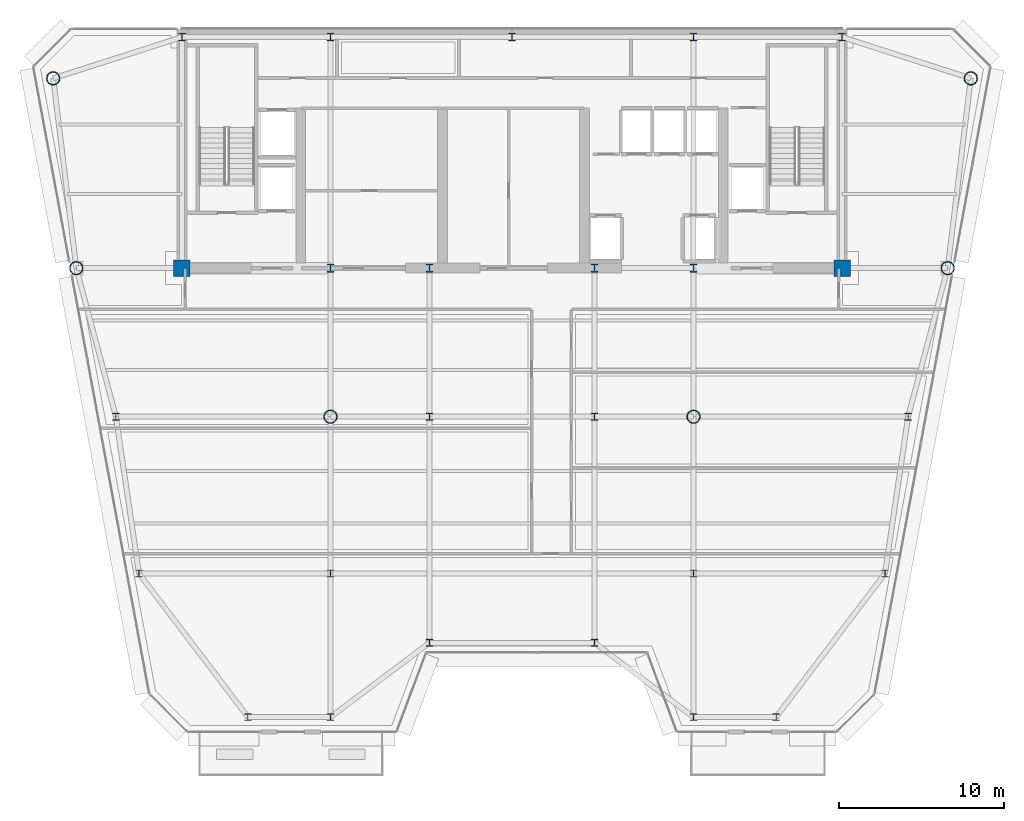
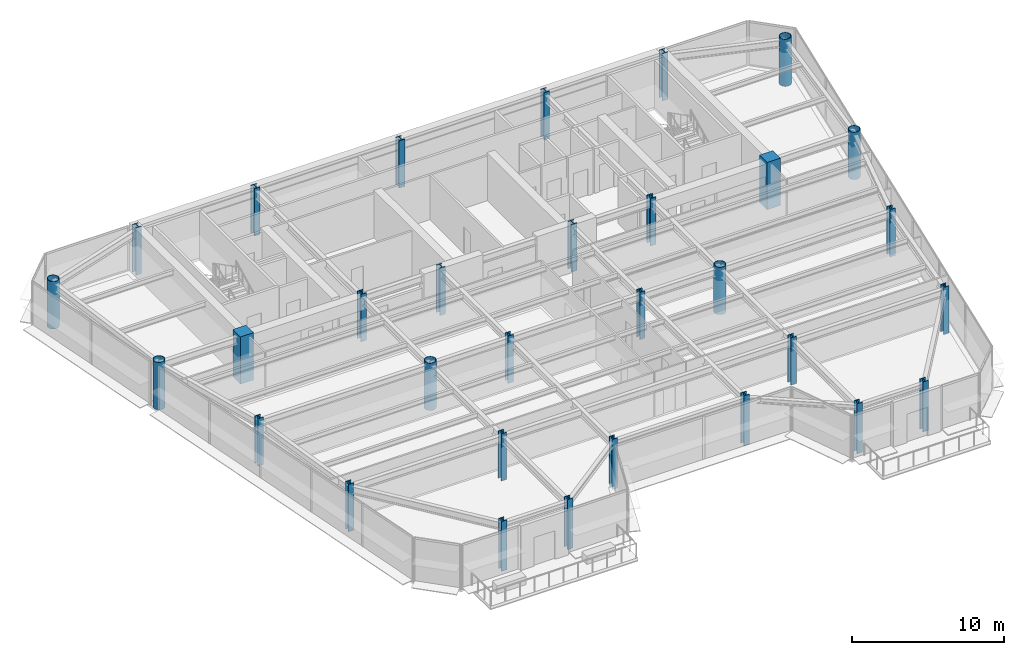
# One storey, part 1 of 16: 31 columns.
"""IFC4 building model written with IfcOpenShell, lengths in metres."""

from ifc_helpers import new_model, si_unit, direction, frame, origin, origin_2d, place, context, subcontext, project, spatial, rectangle, hollow_circle, i_section, extrude, source, transform, mapped, material, material_profile, profile_set, type_object, element, save


model = new_model("IFC4")

# Units and contexts
model_context = context("Model", 3, precision=1e-05, world=origin(), true_north=direction((0.0, 1.0)))
body_context = subcontext(model_context, "Body", "Model", "MODEL_VIEW")
ifc_project = project(units=[si_unit("LENGTHUNIT", "METRE"), si_unit("AREAUNIT", "SQUARE_METRE"), si_unit("VOLUMEUNIT", "CUBIC_METRE"), si_unit("PLANEANGLEUNIT", "RADIAN"), si_unit("MASSUNIT", "GRAM", prefix="KILO")], contexts=[model_context])

# Site, building, storey
site_placement = place(None, origin())
site = spatial("IfcSite", under=ifc_project, at=site_placement, CompositionType="ELEMENT")
building_placement = place(site_placement, origin())
building = spatial("IfcBuilding", under=site, at=building_placement, Name="Vaeldorn Concourse Tower", CompositionType="ELEMENT")
storey_placement = place(building_placement, frame((0.0, 0.0, 207.0)))
storey = spatial("IfcBuildingStorey", under=building, at=storey_placement, Name="L53", CompositionType="ELEMENT", Elevation=207.0)

# Columns
ifc_material_1 = material(Name="Concrete C50/60", Category="concrete")
ifc_material_profile_1 = material_profile(ifc_material_1, rectangle(XDim=1.0, YDim=1.0, at=origin_2d()), Name="RC 1000x1000")
ifc_profile_set_1 = profile_set([ifc_material_profile_1], Name="Concrete C50/60")
column_type_1 = type_object("IfcColumnType", Name="COL-RC1000", PredefinedType="COLUMN", material=ifc_profile_set_1)
shared_shape_1 = source(origin(), body_context, "Body", "SweptSolid", [
    extrude(rectangle(XDim=1.0, YDim=1.0, at=origin_2d()), origin(), (0.0, 0.0, 1.0), 3.800048828125),
])
for number, where, z_axis, x_axis, name in (
    (1, (14.0, 36.5, 0.0), (0.0, 0.0, 1.0), (1.0, 0.0, 0.0), "Column C-FC1 L53"),
    (2, (54.0, 36.5, 0.0), (0.0, 0.0, 1.0), (1.0, 0.0, 0.0), "Column C-FC6 L53"),
):
    element("IfcColumn", number, at=place(storey_placement, frame(where, z_axis=z_axis, x_axis=x_axis)), inside=storey, type_object=column_type_1, Name=name, PredefinedType="COLUMN", context=body_context, shape_type="MappedRepresentation", body=[
        mapped(shared_shape_1, transform((0.0, 0.0, 0.0), scale=1.0)),
    ])
ifc_material_2 = material(Name="Steel S460", Category="steel")
ifc_material_profile_2 = material_profile(ifc_material_2, i_section(OverallWidth=0.431884765625, OverallDepth=0.498046875, WebThickness=0.054931640625, FlangeThickness=0.068115234375, FilletRadius=0.014892578125, at=origin_2d()), Name="HD 400x744")
ifc_profile_set_2 = profile_set([ifc_material_profile_2], Name="Steel S460")
column_type_2 = type_object("IfcColumnType", Name="COL-HD744", PredefinedType="COLUMN", material=ifc_profile_set_2)
shared_shape_2 = source(origin(), body_context, "Body", "SweptSolid", [
    extrude(i_section(OverallWidth=0.431884765625, OverallDepth=0.498046875, WebThickness=0.054931640625, FlangeThickness=0.068115234375, FilletRadius=0.014892578125, at=origin_2d()), origin(), (0.0, 0.0, 1.0), 3.800048828125),
])
for number, where, z_axis, x_axis, name in (
    (3, (23.0, 36.5, 0.0), (0.0, 0.0, 1.0), (1.0, 0.0, 0.0), "Column C-FC2 L53"),
    (4, (29.0, 36.5, 0.0), (0.0, 0.0, 1.0), (1.0, 0.0, 0.0), "Column C-FC3 L53"),
    (5, (39.0, 36.5, 0.0), (0.0, 0.0, 1.0), (1.0, 0.0, 0.0), "Column C-FC4 L53"),
    (6, (45.0, 36.5, 0.0), (0.0, 0.0, 1.0), (1.0, 0.0, 0.0), "Column C-FC5 L53"),
    (7, (14.0, 50.5, 0.0), (0.0, 0.0, 1.0), (1.0, 0.0, 0.0), "Column C-HC1 L53"),
    (8, (23.0, 50.5, 0.0), (0.0, 0.0, 1.0), (1.0, 0.0, 0.0), "Column C-HC2 L53"),
    (9, (34.0, 50.5, 0.0), (0.0, 0.0, 1.0), (1.0, 0.0, 0.0), "Column C-HC3 L53"),
    (10, (45.0, 50.5, 0.0), (0.0, 0.0, 1.0), (1.0, 0.0, 0.0), "Column C-HC4 L53"),
    (11, (54.0, 50.5, 0.0), (0.0, 0.0, 1.0), (1.0, 0.0, 0.0), "Column C-HC5 L53"),
):
    element("IfcColumn", number, at=place(storey_placement, frame(where, z_axis=z_axis, x_axis=x_axis)), inside=storey, type_object=column_type_2, Name=name, PredefinedType="COLUMN", context=body_context, shape_type="MappedRepresentation", body=[
        mapped(shared_shape_2, transform((0.0, 0.0, 0.0), scale=1.0)),
    ])
ifc_material_profile_3 = material_profile(ifc_material_2, hollow_circle(Radius=0.406494140625, WallThickness=0.0400390625, at=origin_2d()), Name="CHS 813x40")
ifc_profile_set_3 = profile_set([ifc_material_profile_3], Name="Steel S460")
column_type_3 = type_object("IfcColumnType", Name="COL-CHS813", PredefinedType="COLUMN", material=ifc_profile_set_3)
shared_shape_3 = source(origin(), body_context, "Body", "SweptSolid", [
    extrude(hollow_circle(Radius=0.406494140625, WallThickness=0.0400390625, at=origin_2d()), origin(), (0.0, 0.0, 1.0), 3.800048828125),
])
for number, where, z_axis, x_axis, name in (
    (12, (6.199951171875, 48.0, 0.0), (0.0, 0.0, 1.0), (1.0, 0.0, 0.0), "Column C-NW1 L53"),
    (13, (7.60009765625, 36.5, 0.0), (0.0, 0.0, 1.0), (1.0, 0.0, 0.0), "Column C-NW2 L53"),
    (14, (61.800048828125, 48.0, 0.0), (0.0, 0.0, 1.0), (1.0, 0.0, 0.0), "Column C-NE1 L53"),
    (15, (60.39990234375, 36.5, 0.0), (0.0, 0.0, 1.0), (1.0, 0.0, 0.0), "Column C-NE2 L53"),
    (16, (23.0, 27.5, 0.0), (0.0, 0.0, 1.0), (1.0, 0.0, 0.0), "Column C-TW1 L53"),
    (17, (45.0, 27.5, 0.0), (0.0, 0.0, 1.0), (1.0, 0.0, 0.0), "Column C-TW4 L53"),
):
    element("IfcColumn", number, at=place(storey_placement, frame(where, z_axis=z_axis, x_axis=x_axis)), inside=storey, type_object=column_type_3, Name=name, PredefinedType="COLUMN", context=body_context, shape_type="MappedRepresentation", body=[
        mapped(shared_shape_3, transform((0.0, 0.0, 0.0), scale=1.0)),
    ])
ifc_material_3 = material(Name="Steel S355", Category="steel")
ifc_material_profile_4 = material_profile(ifc_material_3, i_section(OverallWidth=0.412109375, OverallDepth=0.43505859375, WebThickness=0.035888671875, FlangeThickness=0.050048828125, FilletRadius=0.014892578125, at=origin_2d()), Name="HD 400x463")
ifc_profile_set_4 = profile_set([ifc_material_profile_4], Name="Steel S355")
column_type_4 = type_object("IfcColumnType", Name="COL-HD463F", PredefinedType="COLUMN", material=ifc_profile_set_4)
shared_shape_4 = source(origin(), body_context, "Body", "SweptSolid", [
    extrude(i_section(OverallWidth=0.412109375, OverallDepth=0.43505859375, WebThickness=0.035888671875, FlangeThickness=0.050048828125, FilletRadius=0.014892578125, at=origin_2d()), origin(), (0.0, 0.0, 1.0), 3.800048828125),
])
for number, where, z_axis, x_axis, name in (
    (18, (10.0, 27.5, 0.0), (0.0, 0.0, 1.0), (1.0, 0.0, 0.0), "Column C-FLW1 L53"),
    (19, (11.39990234375, 18.0, 0.0), (0.0, 0.0, 1.0), (1.0, 0.0, 0.0), "Column C-FLW2 L53"),
    (20, (58.0, 27.5, 0.0), (0.0, 0.0, 1.0), (1.0, 0.0, 0.0), "Column C-FLE1 L53"),
    (21, (56.60009765625, 18.0, 0.0), (0.0, 0.0, 1.0), (1.0, 0.0, 0.0), "Column C-FLE2 L53"),
):
    element("IfcColumn", number, at=place(storey_placement, frame(where, z_axis=z_axis, x_axis=x_axis)), inside=storey, type_object=column_type_4, Name=name, PredefinedType="COLUMN", context=body_context, shape_type="MappedRepresentation", body=[
        mapped(shared_shape_4, transform((0.0, 0.0, 0.0), scale=1.0)),
    ])
ifc_material_profile_5 = material_profile(ifc_material_3, i_section(OverallWidth=0.412109375, OverallDepth=0.43505859375, WebThickness=0.035888671875, FlangeThickness=0.050048828125, FilletRadius=0.014892578125, at=origin_2d()), Name="HD 400x463")
ifc_profile_set_5 = profile_set([ifc_material_profile_5], Name="Steel S355")
column_type_5 = type_object("IfcColumnType", Name="COL-HD463T", PredefinedType="COLUMN", material=ifc_profile_set_5)
shared_shape_5 = source(origin(), body_context, "Body", "SweptSolid", [
    extrude(i_section(OverallWidth=0.412109375, OverallDepth=0.43505859375, WebThickness=0.035888671875, FlangeThickness=0.050048828125, FilletRadius=0.014892578125, at=origin_2d()), origin(), (0.0, 0.0, 1.0), 3.800048828125),
])
for number, where, z_axis, x_axis, name in (
    (22, (29.0, 27.5, 0.0), (0.0, 0.0, 1.0), (1.0, 0.0, 0.0), "Column C-TW2 L53"),
    (23, (39.0, 27.5, 0.0), (0.0, 0.0, 1.0), (1.0, 0.0, 0.0), "Column C-TW3 L53"),
    (24, (23.0, 18.0, 0.0), (0.0, 0.0, 1.0), (1.0, 0.0, 0.0), "Column C-TW5 L53"),
    (25, (45.0, 18.0, 0.0), (0.0, 0.0, 1.0), (1.0, 0.0, 0.0), "Column C-TW6 L53"),
):
    element("IfcColumn", number, at=place(storey_placement, frame(where, z_axis=z_axis, x_axis=x_axis)), inside=storey, type_object=column_type_5, Name=name, PredefinedType="COLUMN", context=body_context, shape_type="MappedRepresentation", body=[
        mapped(shared_shape_5, transform((0.0, 0.0, 0.0), scale=1.0)),
    ])
shared_shape_6 = source(origin(), body_context, "Body", "SweptSolid", [
    extrude(i_section(OverallWidth=0.412109375, OverallDepth=0.43505859375, WebThickness=0.035888671875, FlangeThickness=0.050048828125, FilletRadius=0.014892578125, at=origin_2d()), origin(), (0.0, 0.0, 1.0), 4.02001953125),
])
for number, where, z_axis, x_axis, name in (
    (26, (18.0, 9.300048828125, -0.219970703125), (0.0, 0.0, 1.0), (1.0, 0.0, 0.0), "Column C-SF1 L53"),
    (27, (23.0, 9.300048828125, -0.219970703125), (0.0, 0.0, 1.0), (1.0, 0.0, 0.0), "Column C-SF2 L53"),
    (28, (29.0, 13.800048828125, -0.219970703125), (0.0, 0.0, 1.0), (1.0, 0.0, 0.0), "Column C-SF3 L53"),
    (29, (39.0, 13.800048828125, -0.219970703125), (0.0, 0.0, 1.0), (1.0, 0.0, 0.0), "Column C-SF4 L53"),
    (30, (45.0, 9.300048828125, -0.219970703125), (0.0, 0.0, 1.0), (1.0, 0.0, 0.0), "Column C-SF5 L53"),
    (31, (50.0, 9.300048828125, -0.219970703125), (0.0, 0.0, 1.0), (1.0, 0.0, 0.0), "Column C-SF6 L53"),
):
    element("IfcColumn", number, at=place(storey_placement, frame(where, z_axis=z_axis, x_axis=x_axis)), inside=storey, type_object=column_type_5, Name=name, PredefinedType="COLUMN", context=body_context, shape_type="MappedRepresentation", body=[
        mapped(shared_shape_6, transform((0.0, 0.0, 0.0), scale=1.0)),
    ])

save(model, "model.ifc")
